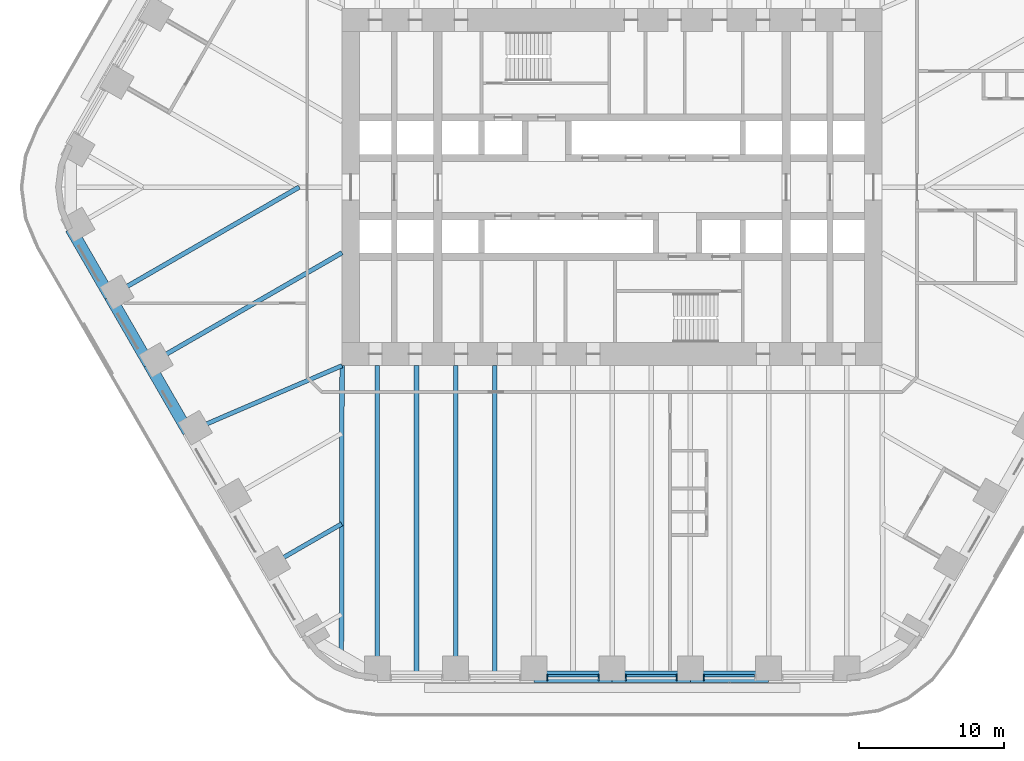
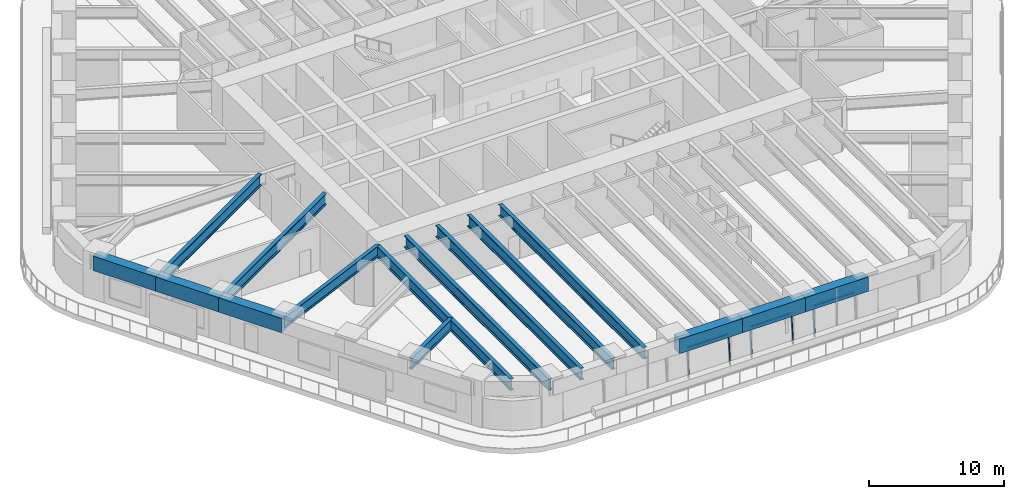
# One storey, part 3 of 24: 15 beams, 8 members, 3 elements without a shape of their own.
"""IFC4 building model written with IfcOpenShell, lengths in metres."""

from ifc_helpers import new_model, si_unit, direction, frame, origin, origin_2d, place, context, subcontext, project, spatial, rectangle, i_section, extrude, material, material_profile, profile_set, type_object, element, aggregate, save


model = new_model("IFC4")

# Units and contexts
model_context = context("Model", 3, precision=1e-05, world=origin(), true_north=direction((0.0, 1.0)))
body_context = subcontext(model_context, "Body", "Model", "MODEL_VIEW")
ifc_project = project(units=[si_unit("LENGTHUNIT", "METRE"), si_unit("AREAUNIT", "SQUARE_METRE"), si_unit("VOLUMEUNIT", "CUBIC_METRE"), si_unit("PLANEANGLEUNIT", "RADIAN"), si_unit("MASSUNIT", "GRAM", prefix="KILO")], contexts=[model_context])

# Site, building, storey
site_placement = place(None, origin())
site = spatial("IfcSite", under=ifc_project, at=site_placement, CompositionType="ELEMENT")
building_placement = place(site_placement, origin())
building = spatial("IfcBuilding", under=site, at=building_placement, Name="Tarfa Lantern Tower", CompositionType="ELEMENT")
storey_placement = place(building_placement, frame((0.0, 0.0, 90.699951171875)))
storey = spatial("IfcBuildingStorey", under=building, at=storey_placement, Name="L20", CompositionType="ELEMENT", Elevation=90.699951171875)

# Curtain wall, members
ifc_material_1 = material(Name="Aluminium framed curtain wall", Category="aluminium")
curtain_wall_type = type_object("IfcCurtainWallType", Name="CW1 CANTED GLAZING LOW ZONE 2700", PredefinedType="USERDEFINED", material=ifc_material_1)
curtain_wall_1_placement = place(storey_placement, origin())
curtain_wall_1 = element("IfcCurtainWall", 1, at=curtain_wall_1_placement, inside=storey, type_object=curtain_wall_type, Name="CW1 S L20", ObjectType="CURTAIN WALL", PredefinedType="USERDEFINED")
ifc_material_2 = material(Name="Aluminium mullion", Category="aluminium")
ifc_material_profile_1 = material_profile(ifc_material_2, rectangle(XDim=0.06494140625, YDim=0.199951171875, at=origin_2d()), Name="AL MULLION 65x200")
ifc_profile_set_1 = profile_set([ifc_material_profile_1], Name="Aluminium mullion")
member_type_1 = type_object("IfcMemberType", Name="CWM1 MULLION 65x200", PredefinedType="MULLION", material=ifc_profile_set_1)
member_1_placement = place(storey_placement, frame((-4.4560546875, -33.89990234375, 0.0), z_axis=(0.0, 0.092199863775, 0.995740520979), x_axis=(-1.0, 0.0, 0.0)))
member_1 = element("IfcMember", 2, at=member_1_placement, type_object=member_type_1, Name="CW1 mullion 1", PredefinedType="MULLION", context=body_context, shape_type="SweptSolid", body=[
    extrude(rectangle(XDim=0.06494140625, YDim=0.199951171875, at=origin_2d()), origin(), (0.0, 0.0, 1.0), 2.71142578125),
])
member_2_placement = place(storey_placement, frame((-0.9326171875, -33.89990234375, 0.0), z_axis=(0.0, 0.092199863775, 0.995740520979), x_axis=(-1.0, 0.0, 0.0)))
member_2 = element("IfcMember", 3, at=member_2_placement, type_object=member_type_1, Name="CW1 mullion 2", PredefinedType="MULLION", context=body_context, shape_type="SweptSolid", body=[
    extrude(rectangle(XDim=0.06494140625, YDim=0.199951171875, at=origin_2d()), origin(), (0.0, 0.0, 1.0), 2.71142578125),
])

curtain_wall_2_placement = place(storey_placement, origin())
curtain_wall_2 = element("IfcCurtainWall", 4, at=curtain_wall_2_placement, inside=storey, type_object=curtain_wall_type, Name="CW1 S L20", ObjectType="CURTAIN WALL", PredefinedType="USERDEFINED")
member_3_placement = place(storey_placement, frame((0.9326171875, -33.89990234375, 0.0), z_axis=(0.0, 0.092199863775, 0.995740520979), x_axis=(-1.0, 0.0, 0.0)))
member_3 = element("IfcMember", 5, at=member_3_placement, type_object=member_type_1, Name="CW1 mullion 1", PredefinedType="MULLION", context=body_context, shape_type="SweptSolid", body=[
    extrude(rectangle(XDim=0.06494140625, YDim=0.199951171875, at=origin_2d()), origin(), (0.0, 0.0, 1.0), 2.71142578125),
])
member_4_placement = place(storey_placement, frame((4.4560546875, -33.89990234375, 0.0), z_axis=(0.0, 0.092199863775, 0.995740520979), x_axis=(-1.0, 0.0, 0.0)))
member_4 = element("IfcMember", 6, at=member_4_placement, type_object=member_type_1, Name="CW1 mullion 2", PredefinedType="MULLION", context=body_context, shape_type="SweptSolid", body=[
    extrude(rectangle(XDim=0.06494140625, YDim=0.199951171875, at=origin_2d()), origin(), (0.0, 0.0, 1.0), 2.71142578125),
])

# Curtain wall, member
curtain_wall_3_placement = place(storey_placement, origin())
curtain_wall_3 = element("IfcCurtainWall", 7, at=curtain_wall_3_placement, inside=storey, type_object=curtain_wall_type, Name="CW1 S L20", ObjectType="CURTAIN WALL", PredefinedType="USERDEFINED")
member_5_placement = place(storey_placement, frame((6.321044921875, -33.89990234375, 0.0), z_axis=(0.0, 0.092199863775, 0.995740520979), x_axis=(-1.0, 0.0, 0.0)))
member_5 = element("IfcMember", 8, at=member_5_placement, type_object=member_type_1, Name="CW1 mullion 1", PredefinedType="MULLION", context=body_context, shape_type="SweptSolid", body=[
    extrude(rectangle(XDim=0.06494140625, YDim=0.199951171875, at=origin_2d()), origin(), (0.0, 0.0, 1.0), 2.71142578125),
])

# Member
ifc_material_3 = material(Name="Aluminium transom", Category="aluminium")
ifc_material_profile_2 = material_profile(ifc_material_3, rectangle(XDim=0.14990234375, YDim=0.06494140625, at=origin_2d()), Name="AL TRANSOM 150x65")
ifc_profile_set_2 = profile_set([ifc_material_profile_2], Name="Aluminium transom")
member_type_2 = type_object("IfcMemberType", Name="CWT1 TRANSOM 150x65", PredefinedType="USERDEFINED", material=ifc_profile_set_2)
member_6_placement = place(storey_placement, frame((-4.423583984375, -33.653076171875, 2.66748046875), z_axis=(1.0, 0.0, 0.0), x_axis=(0.0, 1.0, 0.0)))
member_6 = element("IfcMember", 9, at=member_6_placement, type_object=member_type_2, Name="CW1 transom 1.2", ObjectType="TRANSOM", PredefinedType="USERDEFINED", context=body_context, shape_type="SweptSolid", body=[
    extrude(rectangle(XDim=0.14990234375, YDim=0.06494140625, at=origin_2d()), origin(), (0.0, 0.0, 1.0), 3.45849609375),
])

aggregate(curtain_wall_1, [member_1, member_2, member_6])

member_7_placement = place(storey_placement, frame((0.965087890625, -33.653076171875, 2.66748046875), z_axis=(1.0, 0.0, 0.0), x_axis=(0.0, 1.0, 0.0)))
member_7 = element("IfcMember", 10, at=member_7_placement, type_object=member_type_2, Name="CW1 transom 1.2", ObjectType="TRANSOM", PredefinedType="USERDEFINED", context=body_context, shape_type="SweptSolid", body=[
    extrude(rectangle(XDim=0.14990234375, YDim=0.06494140625, at=origin_2d()), origin(), (0.0, 0.0, 1.0), 3.45849609375),
])

aggregate(curtain_wall_2, [member_3, member_4, member_7])

member_8_placement = place(storey_placement, frame((6.353515625, -33.653076171875, 2.66748046875), z_axis=(1.0, 0.0, 0.0), x_axis=(0.0, 1.0, 0.0)))
member_8 = element("IfcMember", 11, at=member_8_placement, type_object=member_type_2, Name="CW1 transom 1.2", ObjectType="TRANSOM", PredefinedType="USERDEFINED", context=body_context, shape_type="SweptSolid", body=[
    extrude(rectangle(XDim=0.14990234375, YDim=0.06494140625, at=origin_2d()), origin(), (0.0, 0.0, 1.0), 3.458740234375),
])

aggregate(curtain_wall_3, [member_5, member_8])

# Beams
ifc_material_4 = material(Name="Concrete C80/95", Category="concrete")
ifc_material_profile_3 = material_profile(ifc_material_4, rectangle(XDim=0.800048828125, YDim=1.300048828125, at=origin_2d()), Name="RC 800x1300")
ifc_profile_set_3 = profile_set([ifc_material_profile_3], Name="Concrete C80/95")
beam_type_1 = type_object("IfcBeamType", Name="EB1 RC 800x1300", PredefinedType="SPANDREL", material=ifc_profile_set_3)
beam_1_placement = place(storey_placement, frame((-37.285400390625, -2.860107421875, 3.35009765625), z_axis=(0.500017906299, -0.866015065331, 0.0), x_axis=(0.866015065331, 0.500017906299, 0.0)))
element("IfcBeam", 12, at=beam_1_placement, inside=storey, type_object=beam_type_1, Name="Edge beam SW0", PredefinedType="SPANDREL", context=body_context, shape_type="SweptSolid", body=[
    extrude(rectangle(XDim=0.800048828125, YDim=1.300048828125, at=origin_2d()), origin(), (0.0, 0.0, 1.0), 5.388427734375),
])
for number, where, z_axis, x_axis, name in (
    (13, (-34.591064453125, -7.526611328125, 3.35009765625), (0.499998287579, -0.866026392449, 0.0), (0.866026392449, 0.499998287579, 0.0), "Edge beam SW1"),
    (14, (-31.896728515625, -12.193359375, 3.35009765625), (0.499998287579, -0.866026392449, 0.0), (0.866026392449, 0.499998287579, 0.0), "Edge beam SW2"),
    (15, (-5.388671875, -33.719970703125, 3.35009765625), (1.0, 0.0, 0.0), (0.0, 1.0, 0.0), "Edge beam S2"),
    (16, (0.0, -33.719970703125, 3.35009765625), (1.0, 0.0, 0.0), (0.0, 1.0, 0.0), "Edge beam S3"),
):
    element("IfcBeam", number, at=place(storey_placement, frame(where, z_axis=z_axis, x_axis=x_axis)), inside=storey, type_object=beam_type_1, Name=name, PredefinedType="SPANDREL", context=body_context, shape_type="SweptSolid", body=[
        extrude(rectangle(XDim=0.800048828125, YDim=1.300048828125, at=origin_2d()), origin(), (0.0, 0.0, 1.0), 5.388671875),
    ])
beam_2_placement = place(storey_placement, frame((5.388671875, -33.719970703125, 3.35009765625), z_axis=(1.0, 0.0, 0.0), x_axis=(0.0, 1.0, 0.0)))
element("IfcBeam", 17, at=beam_2_placement, inside=storey, type_object=beam_type_1, Name="Edge beam S4", PredefinedType="SPANDREL", context=body_context, shape_type="SweptSolid", body=[
    extrude(rectangle(XDim=0.800048828125, YDim=1.300048828125, at=origin_2d()), origin(), (0.0, 0.0, 1.0), 5.388427734375),
])
ifc_material_5 = material(Name="Steel S460M", Category="steel")
ifc_material_profile_4 = material_profile(ifc_material_5, i_section(OverallWidth=0.302001953125, OverallDepth=1.008056640625, WebThickness=0.02099609375, FlangeThickness=0.0400390625, FilletRadius=0.030029296875, at=origin_2d()), Name="UB1016x305x349")
ifc_profile_set_4 = profile_set([ifc_material_profile_4], Name="Steel S460M")
beam_type_2 = type_object("IfcBeamType", Name="UB1016x305x349", PredefinedType="BEAM", material=ifc_profile_set_4)
beam_3_placement = place(storey_placement, frame((-29.202392578125, -16.860107421875, 3.49609375), z_axis=(0.918635483867, 0.395106122175, 0.0), x_axis=(-0.395106122175, 0.918635483867, 0.0)))
element("IfcBeam", 18, at=beam_3_placement, inside=storey, type_object=beam_type_2, Name="Floor beam SW3", PredefinedType="BEAM", context=body_context, shape_type="SweptSolid", body=[
    extrude(i_section(OverallWidth=0.302001953125, OverallDepth=1.008056640625, WebThickness=0.02099609375, FlangeThickness=0.0400390625, FilletRadius=0.030029296875, at=origin_2d()), origin(), (0.0, 0.0, 1.0), 11.541259765625),
])
beam_4_placement = place(storey_placement, frame((-23.813720703125, -26.193359375, 3.49609375), z_axis=(0.866015997389, 0.500016292001, 0.0), x_axis=(-0.500016292001, 0.866015997389, 0.0)))
element("IfcBeam", 19, at=beam_4_placement, inside=storey, type_object=beam_type_2, Name="Floor beam SW5", PredefinedType="BEAM", context=body_context, shape_type="SweptSolid", body=[
    extrude(i_section(OverallWidth=0.302001953125, OverallDepth=1.008056640625, WebThickness=0.02099609375, FlangeThickness=0.0400390625, FilletRadius=0.030029296875, at=origin_2d()), origin(), (0.0, 0.0, 1.0), 5.993408203125),
])
ifc_material_profile_5 = material_profile(ifc_material_5, i_section(OverallWidth=0.314208984375, OverallDepth=1.055908203125, WebThickness=0.035888671875, FlangeThickness=0.06396484375, FilletRadius=0.030029296875, at=origin_2d()), Name="UB1016x305x584")
ifc_profile_set_5 = profile_set([ifc_material_profile_5], Name="Steel S460M")
beam_type_3 = type_object("IfcBeamType", Name="UB1016x305x584", PredefinedType="BEAM", material=ifc_profile_set_5)
beam_5_placement = place(storey_placement, frame((-18.60009765625, -12.300048828125, 3.47216796875), z_axis=(-0.00212508222, -0.99999774201, 0.0), x_axis=(0.99999774201, -0.00212508222, 0.0)))
element("IfcBeam", 20, at=beam_5_placement, inside=storey, type_object=beam_type_3, Name="Hip girder SW", PredefinedType="BEAM", context=body_context, shape_type="SweptSolid", body=[
    extrude(i_section(OverallWidth=0.314208984375, OverallDepth=1.055908203125, WebThickness=0.035888671875, FlangeThickness=0.06396484375, FilletRadius=0.030029296875, at=origin_2d()), origin(), (0.0, 0.0, 1.0), 19.989990234375),
])
beam_6_placement = place(storey_placement, frame((-34.591064453125, -7.526611328125, 3.47216796875), z_axis=(0.86602785945, 0.499995746638, 0.0), x_axis=(-0.499995746638, 0.86602785945, 0.0)))
element("IfcBeam", 21, at=beam_6_placement, inside=storey, type_object=beam_type_3, Name="Floor beam SW1", PredefinedType="BEAM", context=body_context, shape_type="SweptSolid", body=[
    extrude(i_section(OverallWidth=0.314208984375, OverallDepth=1.055908203125, WebThickness=0.035888671875, FlangeThickness=0.06396484375, FilletRadius=0.030029296875, at=origin_2d()), origin(), (0.0, 0.0, 1.0), 15.053466796875),
])
beam_7_placement = place(storey_placement, frame((-31.896728515625, -12.193359375, 3.47216796875), z_axis=(0.866026971665, 0.499997284341, 0.0), x_axis=(-0.499997284341, 0.866026971665, 0.0)))
element("IfcBeam", 22, at=beam_7_placement, inside=storey, type_object=beam_type_3, Name="Floor beam SW2", PredefinedType="BEAM", context=body_context, shape_type="SweptSolid", body=[
    extrude(i_section(OverallWidth=0.314208984375, OverallDepth=1.055908203125, WebThickness=0.035888671875, FlangeThickness=0.06396484375, FilletRadius=0.030029296875, at=origin_2d()), origin(), (0.0, 0.0, 1.0), 15.353515625),
])
for number, where, z_axis, x_axis, name in (
    (23, (-16.165771484375, -33.719970703125, 3.47216796875), (0.0, 1.0, 0.0), (-1.0, 0.0, 0.0), "Floor beam S0"),
    (24, (-10.777099609375, -33.719970703125, 3.47216796875), (0.0, 1.0, 0.0), (-1.0, 0.0, 0.0), "Floor beam S1"),
    (25, (-13.471435546875, -33.719970703125, 3.47216796875), (0.0, 1.0, 0.0), (-1.0, 0.0, 0.0), "Floor beam S0M"),
    (26, (-8.0830078125, -33.719970703125, 3.47216796875), (0.0, 1.0, 0.0), (-1.0, 0.0, 0.0), "Floor beam S1M"),
):
    element("IfcBeam", number, at=place(storey_placement, frame(where, z_axis=z_axis, x_axis=x_axis)), inside=storey, type_object=beam_type_3, Name=name, PredefinedType="BEAM", context=body_context, shape_type="SweptSolid", body=[
        extrude(i_section(OverallWidth=0.314208984375, OverallDepth=1.055908203125, WebThickness=0.035888671875, FlangeThickness=0.06396484375, FilletRadius=0.030029296875, at=origin_2d()), origin(), (0.0, 0.0, 1.0), 21.419921875),
    ])

save(model, "model.ifc")
